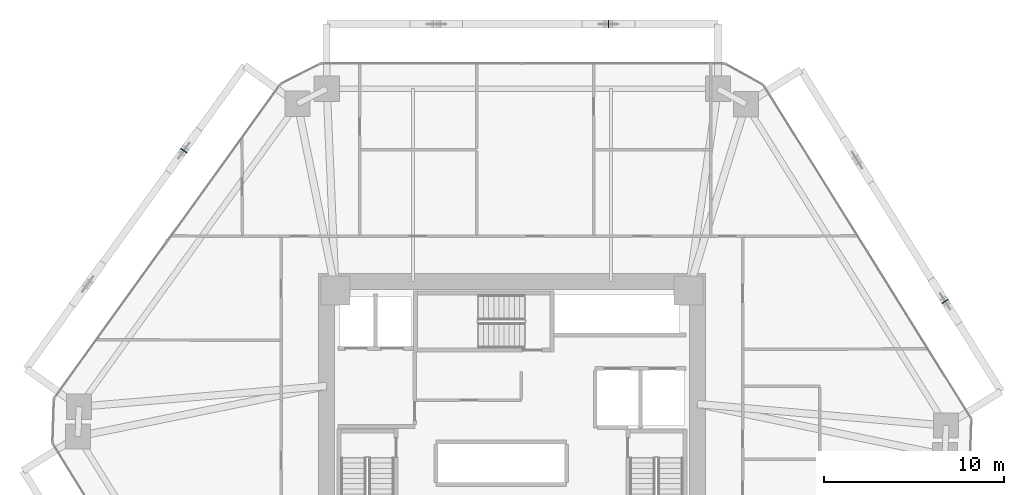
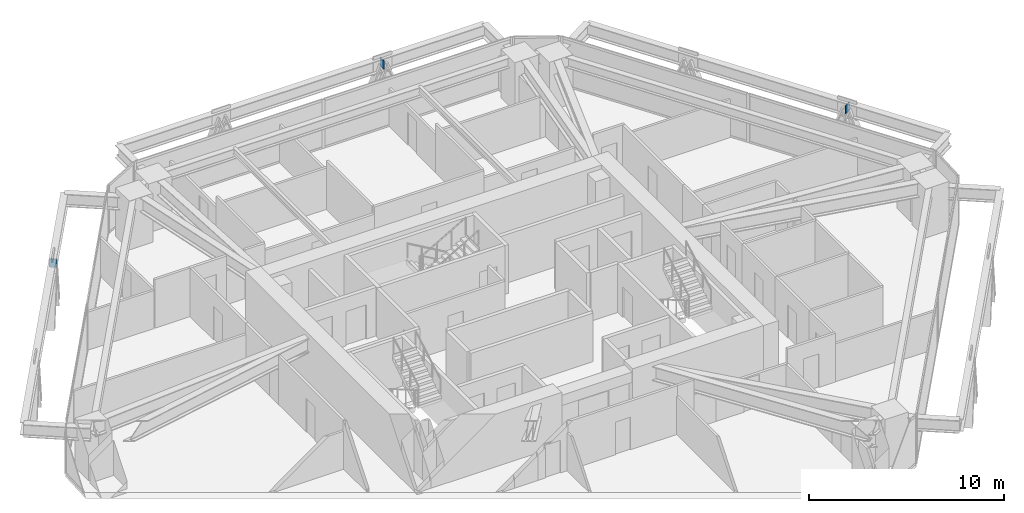
# One storey, part 12 of 17: 3 plates.
"""IFC4 building model written with IfcOpenShell, lengths in metres."""

from ifc_helpers import new_model, si_unit, direction, frame, origin, origin_2d, place, context, subcontext, project, spatial, rectangle, extrude, source, transform, mapped, material, layer, layer_set, type_object, type_shapes, element, save


model = new_model("IFC4")

# Units and contexts
model_context = context("Model", 3, precision=1e-05, world=origin(), true_north=direction((0.0, 1.0)))
body_context = subcontext(model_context, "Body", "Model", "MODEL_VIEW")
ifc_project = project(units=[si_unit("LENGTHUNIT", "METRE"), si_unit("AREAUNIT", "SQUARE_METRE"), si_unit("VOLUMEUNIT", "CUBIC_METRE"), si_unit("PLANEANGLEUNIT", "RADIAN"), si_unit("MASSUNIT", "GRAM", prefix="KILO")], contexts=[model_context])

# Site, building, storey
site_placement = place(None, origin())
site = spatial("IfcSite", under=ifc_project, at=site_placement, CompositionType="ELEMENT")
building_placement = place(site_placement, origin())
building = spatial("IfcBuilding", under=site, at=building_placement, Name="Durnholm Broadcast Tower", CompositionType="ELEMENT")
storey_placement = place(building_placement, frame((0.0, 0.0, 45.60009765625)))
storey = spatial("IfcBuildingStorey", under=building, at=storey_placement, Name="L10", CompositionType="ELEMENT", Elevation=45.60009765625)

# Plates
ifc_material = material(Name="Steel ASTM A572 Grade 50", Category="steel")
ifc_layer = layer(ifc_material, 0.044921875)
ifc_layer_set = layer_set([ifc_layer], Name="Steel ASTM A572 Grade 50")
plate_type = type_object("IfcPlateType", Name="PLT-KN-STIF", PredefinedType="SHEET", material=ifc_layer_set)
shared_shape = source(origin(), body_context, "Body", "SweptSolid", [
    extrude(rectangle(XDim=0.044921875, YDim=0.419921875, at=origin_2d()), origin(), (0.0, 0.0, 1.0), 0.52001953125),
])
type_shapes(plate_type, [shared_shape])
for number, where, z_axis, x_axis, name in (
    (1, (24.036376953125, 7.197509765625, 2.04833984375), (0.0, 0.0, 1.0), (-0.528586500185, 0.848879444811, 0.0), "L10 welded diagrid node stiffener plate F3"),
    (2, (5.351318359375, 22.60009765625, 2.04833984375), (0.0, 0.0, 1.0), (-1.0, 0.0, 0.0), "L10 welded diagrid node stiffener plate F4"),
    (3, (-18.223388671875, 15.56396484375, 2.04833984375), (0.0, 0.0, 1.0), (-0.584816108738, -0.81116590101, 0.0), "L10 welded diagrid node stiffener plate F5"),
):
    element("IfcPlate", number, at=place(storey_placement, frame(where, z_axis=z_axis, x_axis=x_axis)), inside=storey, type_object=plate_type, Name=name, PredefinedType="SHEET", context=body_context, shape_type="MappedRepresentation", body=[
        mapped(shared_shape, transform((0.0, 0.0, 0.0), x_axis=(1.0, 0.0, 0.0), y_axis=(0.0, 1.0, 0.0), z_axis=(0.0, 0.0, 1.0), scale=1.0)),
    ])

save(model, "model.ifc")
